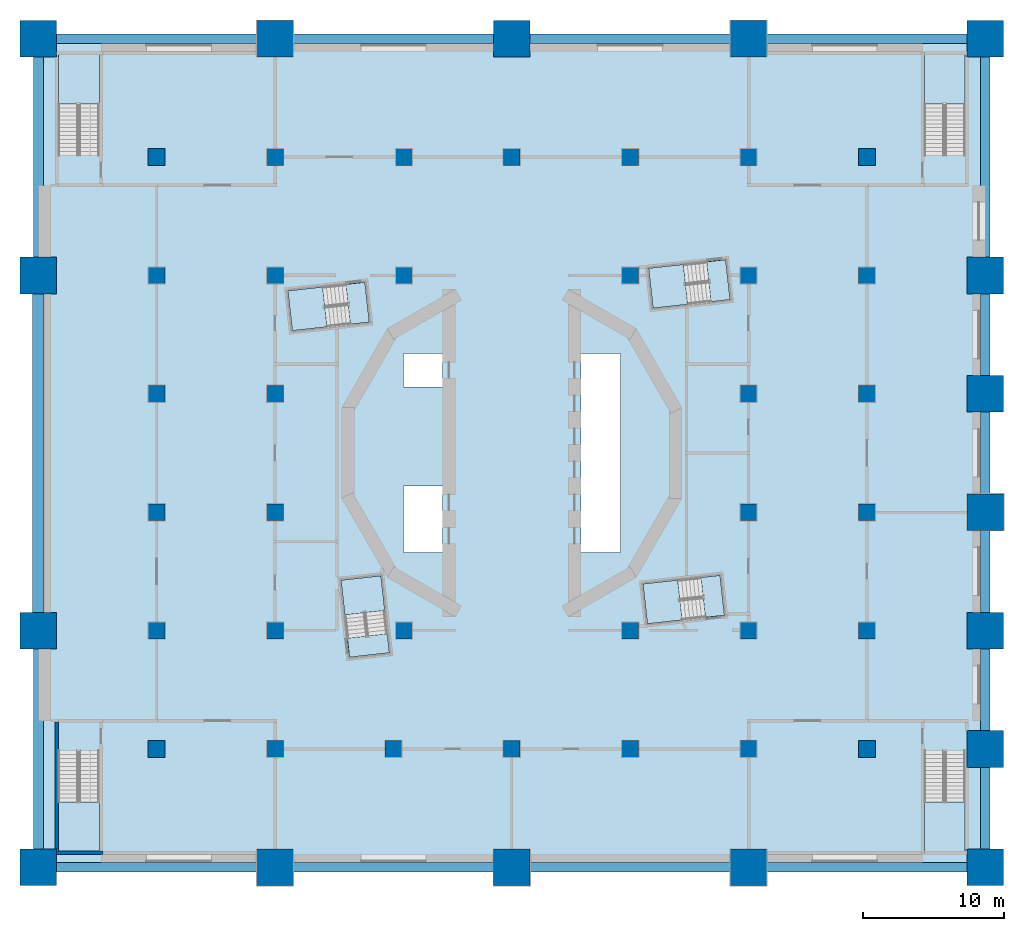
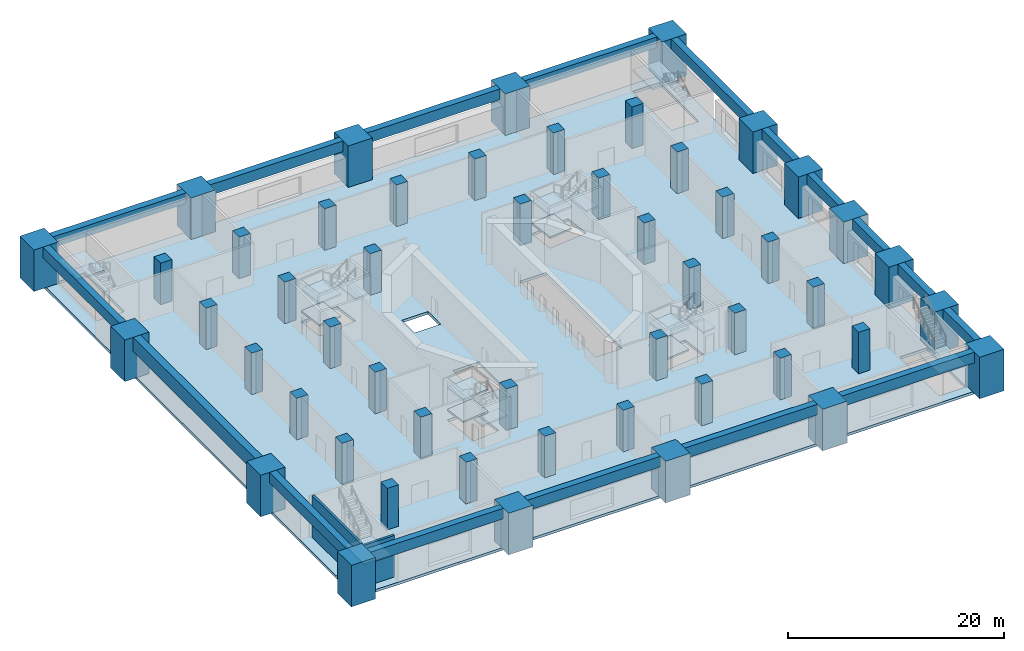
# One storey, part 1 of 17: 51 columns, 17 beams, 17 slabs, 2 walls, 8 elements without a shape of their own.
"""IFC4 building model written with IfcOpenShell, lengths in metres."""

from ifc_helpers import new_model, si_unit, direction, frame, frame_2d, origin, origin_2d, place, context, subcontext, project, spatial, polyline, rectangle, outline, extrude, material, layer, layer_set, material_profile, profile_set, type_object, element, aggregate, save


model = new_model("IFC4")

# Units and contexts
model_context = context("Model", 3, precision=1e-05, world=origin(), true_north=direction((0.0, 1.0)))
body_context = subcontext(model_context, "Body", "Model", "MODEL_VIEW")
ifc_project = project(units=[si_unit("LENGTHUNIT", "METRE"), si_unit("AREAUNIT", "SQUARE_METRE"), si_unit("VOLUMEUNIT", "CUBIC_METRE"), si_unit("PLANEANGLEUNIT", "RADIAN"), si_unit("MASSUNIT", "GRAM", prefix="KILO")], contexts=[model_context])

# Site, building, storey
site_placement = place(None, origin())
site = spatial("IfcSite", under=ifc_project, at=site_placement, CompositionType="ELEMENT")
building_placement = place(site_placement, origin())
building = spatial("IfcBuilding", under=site, at=building_placement, Name="Cantera Rosa Tower", CompositionType="ELEMENT")
storey_placement = place(building_placement, frame((0.0, 0.0, 27.0)))
storey = spatial("IfcBuildingStorey", under=building, at=storey_placement, Name="L04", CompositionType="ELEMENT", Elevation=27.0)

# Columns
ifc_material_1 = material(Name="Concrete C60/75", Category="concrete")
ifc_material_profile_1 = material_profile(ifc_material_1, rectangle(XDim=1.199951171875, YDim=1.199951171875, at=origin_2d()), Name="Column 1200x1200")
ifc_profile_set_1 = profile_set([ifc_material_profile_1], Name="Concrete C60/75")
column_type_1 = type_object("IfcColumnType", Name="Column 1200x1200", PredefinedType="COLUMN", material=ifc_profile_set_1)
for number, where, z_axis, x_axis, name in (
    (1, (-25.199951171875, -21.0, 0.0), (0.0, 0.0, 1.0), (1.0, 0.0, 0.0), "Column C-P-2B"),
    (2, (-25.199951171875, -12.60009765625, 0.0), (0.0, 0.0, 1.0), (1.0, 0.0, 0.0), "Column C-P-2C"),
    (3, (-25.199951171875, -4.199951171875, 0.0), (0.0, 0.0, 1.0), (1.0, 0.0, 0.0), "Column C-P-2D"),
    (4, (-25.199951171875, 4.199951171875, 0.0), (0.0, 0.0, 1.0), (1.0, 0.0, 0.0), "Column C-P-2E"),
    (5, (-25.199951171875, 12.60009765625, 0.0), (0.0, 0.0, 1.0), (1.0, 0.0, 0.0), "Column C-P-2F"),
    (6, (-25.199951171875, 21.0, 0.0), (0.0, 0.0, 1.0), (1.0, 0.0, 0.0), "Column C-P-2G"),
    (7, (-16.800048828125, -21.0, 0.0), (0.0, 0.0, 1.0), (1.0, 0.0, 0.0), "Column C-P-3B"),
    (8, (-16.800048828125, -12.60009765625, 0.0), (0.0, 0.0, 1.0), (1.0, 0.0, 0.0), "Column C-P-3C"),
    (9, (-16.800048828125, -4.199951171875, 0.0), (0.0, 0.0, 1.0), (1.0, 0.0, 0.0), "Column C-P-3D"),
    (10, (-16.800048828125, 4.199951171875, 0.0), (0.0, 0.0, 1.0), (1.0, 0.0, 0.0), "Column C-P-3E"),
    (11, (-16.800048828125, 12.60009765625, 0.0), (0.0, 0.0, 1.0), (1.0, 0.0, 0.0), "Column C-P-3F"),
    (12, (-16.800048828125, 21.0, 0.0), (0.0, 0.0, 1.0), (1.0, 0.0, 0.0), "Column C-P-3G"),
    (13, (-8.39990234375, -21.0, 0.0), (0.0, 0.0, 1.0), (1.0, 0.0, 0.0), "Column C-P-4B"),
    (14, (-7.64990234375, -12.60009765625, 0.0), (0.0, 0.0, 1.0), (1.0, 0.0, 0.0), "Column C-P-4C"),
    (15, (-7.64990234375, 12.60009765625, 0.0), (0.0, 0.0, 1.0), (1.0, 0.0, 0.0), "Column C-B-4N2"),
    (16, (-7.64990234375, 21.0, 0.0), (0.0, 0.0, 1.0), (1.0, 0.0, 0.0), "Column C-B-4N3"),
    (17, (0.0, -21.0, 0.0), (0.0, 0.0, 1.0), (1.0, 0.0, 0.0), "Column C-P-5B"),
    (18, (0.0, 21.0, 0.0), (0.0, 0.0, 1.0), (1.0, 0.0, 0.0), "Column C-P-5G"),
    (19, (8.39990234375, -21.0, 0.0), (0.0, 0.0, 1.0), (1.0, 0.0, 0.0), "Column C-P-6B"),
    (20, (8.39990234375, -12.60009765625, 0.0), (0.0, 0.0, 1.0), (1.0, 0.0, 0.0), "Column C-P-6C"),
    (21, (8.39990234375, 12.60009765625, 0.0), (0.0, 0.0, 1.0), (1.0, 0.0, 0.0), "Column C-P-6F"),
    (22, (8.39990234375, 21.0, 0.0), (0.0, 0.0, 1.0), (1.0, 0.0, 0.0), "Column C-P-6G"),
    (23, (16.800048828125, -21.0, 0.0), (0.0, 0.0, 1.0), (1.0, 0.0, 0.0), "Column C-P-7B"),
    (24, (16.800048828125, -12.60009765625, 0.0), (0.0, 0.0, 1.0), (1.0, 0.0, 0.0), "Column C-P-7C"),
    (25, (16.800048828125, -4.199951171875, 0.0), (0.0, 0.0, 1.0), (1.0, 0.0, 0.0), "Column C-P-7D"),
    (26, (16.800048828125, 4.199951171875, 0.0), (0.0, 0.0, 1.0), (1.0, 0.0, 0.0), "Column C-P-7E"),
    (27, (16.800048828125, 12.60009765625, 0.0), (0.0, 0.0, 1.0), (1.0, 0.0, 0.0), "Column C-P-7F"),
    (28, (16.800048828125, 21.0, 0.0), (0.0, 0.0, 1.0), (1.0, 0.0, 0.0), "Column C-P-7G"),
    (29, (25.199951171875, -21.0, 0.0), (0.0, 0.0, 1.0), (1.0, 0.0, 0.0), "Column C-P-8B"),
    (30, (25.199951171875, -12.60009765625, 0.0), (0.0, 0.0, 1.0), (1.0, 0.0, 0.0), "Column C-P-8C"),
    (31, (25.199951171875, -4.199951171875, 0.0), (0.0, 0.0, 1.0), (1.0, 0.0, 0.0), "Column C-P-8D"),
    (32, (25.199951171875, 4.199951171875, 0.0), (0.0, 0.0, 1.0), (1.0, 0.0, 0.0), "Column C-P-8E"),
    (33, (25.199951171875, 12.60009765625, 0.0), (0.0, 0.0, 1.0), (1.0, 0.0, 0.0), "Column C-P-8F"),
    (34, (25.199951171875, 21.0, 0.0), (0.0, 0.0, 1.0), (1.0, 0.0, 0.0), "Column C-P-8G"),
):
    element("IfcColumn", number, at=place(storey_placement, frame(where, z_axis=z_axis, x_axis=x_axis)), inside=storey, type_object=column_type_1, Name=name, PredefinedType="COLUMN", context=body_context, shape_type="SweptSolid", body=[
        extrude(rectangle(XDim=1.199951171875, YDim=1.199951171875, at=origin_2d()), origin(), (0.0, 0.0, 1.0), 4.699951171875),
    ])
ifc_material_2 = material(Name="Concrete C60/75", Category="concrete")
ifc_material_profile_2 = material_profile(ifc_material_2, rectangle(XDim=2.60009765625, YDim=2.60009765625, at=origin_2d()), Name="Stone pier 2600x2600")
ifc_profile_set_2 = profile_set([ifc_material_profile_2], Name="Concrete C60/75")
column_type_2 = type_object("IfcColumnType", Name="Stone pier 2600x2600", PredefinedType="COLUMN", material=ifc_profile_set_2)
for number, where, z_axis, x_axis, name in (
    (35, (-33.60009765625, -29.39990234375, 0.0), (0.0, 0.0, 1.0), (1.0, 0.0, 0.0), "Column C-P-1A"),
    (36, (-33.60009765625, -12.60009765625, 0.0), (0.0, 0.0, 1.0), (1.0, 0.0, 0.0), "Column C-P-1C"),
    (37, (-33.60009765625, 12.60009765625, 0.0), (0.0, 0.0, 1.0), (1.0, 0.0, 0.0), "Column C-P-1F"),
    (38, (-33.60009765625, 29.39990234375, 0.0), (0.0, 0.0, 1.0), (1.0, 0.0, 0.0), "Column C-P-1H"),
    (39, (-16.800048828125, -29.39990234375, 0.0), (0.0, 0.0, 1.0), (1.0, 0.0, 0.0), "Column C-P-3A"),
    (40, (-16.800048828125, 29.39990234375, 0.0), (0.0, 0.0, 1.0), (1.0, 0.0, 0.0), "Column C-P-3H"),
    (41, (0.0, -29.39990234375, 0.0), (0.0, 0.0, 1.0), (1.0, 0.0, 0.0), "Column C-P-5A"),
    (42, (0.0, 29.39990234375, 0.0), (0.0, 0.0, 1.0), (1.0, 0.0, 0.0), "Column C-P-5H"),
    (43, (16.800048828125, -29.39990234375, 0.0), (0.0, 0.0, 1.0), (1.0, 0.0, 0.0), "Column C-P-7A"),
    (44, (16.800048828125, 29.39990234375, 0.0), (0.0, 0.0, 1.0), (1.0, 0.0, 0.0), "Column C-P-7H"),
    (45, (33.60009765625, -29.39990234375, 0.0), (0.0, 0.0, 1.0), (1.0, 0.0, 0.0), "Column C-P-9A"),
    (46, (33.60009765625, -21.0, 0.0), (0.0, 0.0, 1.0), (1.0, 0.0, 0.0), "Column C-P-9B"),
    (47, (33.60009765625, -12.60009765625, 0.0), (0.0, 0.0, 1.0), (1.0, 0.0, 0.0), "Column C-P-9C"),
    (48, (33.60009765625, -4.199951171875, 0.0), (0.0, 0.0, 1.0), (1.0, 0.0, 0.0), "Column C-P-9D"),
    (49, (33.60009765625, 4.199951171875, 0.0), (0.0, 0.0, 1.0), (1.0, 0.0, 0.0), "Column C-P-9E"),
    (50, (33.60009765625, 12.60009765625, 0.0), (0.0, 0.0, 1.0), (1.0, 0.0, 0.0), "Column C-P-9F"),
    (51, (33.60009765625, 29.39990234375, 0.0), (0.0, 0.0, 1.0), (1.0, 0.0, 0.0), "Column C-P-9H"),
):
    element("IfcColumn", number, at=place(storey_placement, frame(where, z_axis=z_axis, x_axis=x_axis)), inside=storey, type_object=column_type_2, Name=name, PredefinedType="COLUMN", context=body_context, shape_type="SweptSolid", body=[
        extrude(rectangle(XDim=2.60009765625, YDim=2.60009765625, at=origin_2d()), origin(), (0.0, 0.0, 1.0), 4.699951171875),
    ])

# Beams
ifc_material_3 = material(Name="Concrete C50/60", Category="concrete")
ifc_material_profile_3 = material_profile(ifc_material_3, rectangle(XDim=0.699951171875, YDim=1.199951171875, at=origin_2d()), Name="Edge girder 700x1200")
ifc_profile_set_3 = profile_set([ifc_material_profile_3], Name="Concrete C50/60")
beam_type_1 = type_object("IfcBeamType", Name="Edge girder 700x1200", PredefinedType="BEAM", material=ifc_profile_set_3)
beam_1_placement = place(storey_placement, frame((-33.60009765625, -28.10009765625, 4.10009765625), z_axis=(0.0, 1.0, 0.0), x_axis=(-1.0, 0.0, 0.0)))
element("IfcBeam", 52, at=beam_1_placement, inside=storey, type_object=beam_type_1, Name="Edge girder L04-01", PredefinedType="BEAM", context=body_context, shape_type="SweptSolid", body=[
    extrude(rectangle(XDim=0.699951171875, YDim=1.199951171875, at=origin_2d()), origin(), (0.0, 0.0, 1.0), 14.2001953125),
])
beam_2_placement = place(storey_placement, frame((-32.300048828125, -29.39990234375, 4.10009765625), z_axis=(1.0, 0.0, 0.0), x_axis=(0.0, 1.0, 0.0)))
element("IfcBeam", 53, at=beam_2_placement, inside=storey, type_object=beam_type_1, Name="Edge girder L04-02", PredefinedType="BEAM", context=body_context, shape_type="SweptSolid", body=[
    extrude(rectangle(XDim=0.699951171875, YDim=1.199951171875, at=origin_2d()), origin(), (0.0, 0.0, 1.0), 14.199951171875),
])
beam_3_placement = place(storey_placement, frame((-33.60009765625, 13.89990234375, 4.10009765625), z_axis=(0.0, 1.0, 0.0), x_axis=(-1.0, 0.0, 0.0)))
element("IfcBeam", 54, at=beam_3_placement, inside=storey, type_object=beam_type_1, Name="Edge girder L04-04", PredefinedType="BEAM", context=body_context, shape_type="SweptSolid", body=[
    extrude(rectangle(XDim=0.699951171875, YDim=1.199951171875, at=origin_2d()), origin(), (0.0, 0.0, 1.0), 14.2001953125),
])
for number, where, z_axis, x_axis, name in (
    (55, (-32.300048828125, 29.39990234375, 4.10009765625), (1.0, 0.0, 0.0), (0.0, 1.0, 0.0), "Edge girder L04-05"),
    (56, (-15.5, -29.39990234375, 4.10009765625), (1.0, 0.0, 0.0), (0.0, 1.0, 0.0), "Edge girder L04-06"),
    (57, (-15.5, 29.39990234375, 4.10009765625), (1.0, 0.0, 0.0), (0.0, 1.0, 0.0), "Edge girder L04-07"),
    (58, (1.300048828125, -29.39990234375, 4.10009765625), (1.0, 0.0, 0.0), (0.0, 1.0, 0.0), "Edge girder L04-08"),
    (59, (1.300048828125, 29.39990234375, 4.10009765625), (1.0, 0.0, 0.0), (0.0, 1.0, 0.0), "Edge girder L04-09"),
    (60, (18.10009765625, -29.39990234375, 4.10009765625), (1.0, 0.0, 0.0), (0.0, 1.0, 0.0), "Edge girder L04-10"),
    (61, (18.10009765625, 29.39990234375, 4.10009765625), (1.0, 0.0, 0.0), (0.0, 1.0, 0.0), "Edge girder L04-11"),
):
    element("IfcBeam", number, at=place(storey_placement, frame(where, z_axis=z_axis, x_axis=x_axis)), inside=storey, type_object=beam_type_1, Name=name, PredefinedType="BEAM", context=body_context, shape_type="SweptSolid", body=[
        extrude(rectangle(XDim=0.699951171875, YDim=1.199951171875, at=origin_2d()), origin(), (0.0, 0.0, 1.0), 14.199951171875),
    ])
for number, where, z_axis, x_axis, name in (
    (62, (33.60009765625, -28.10009765625, 4.10009765625), (0.0, 1.0, 0.0), (-1.0, 0.0, 0.0), "Edge girder L04-12"),
    (63, (33.60009765625, -19.699951171875, 4.10009765625), (0.0, 1.0, 0.0), (-1.0, 0.0, 0.0), "Edge girder L04-13"),
    (64, (33.60009765625, -11.300048828125, 4.10009765625), (0.0, 1.0, 0.0), (-1.0, 0.0, 0.0), "Edge girder L04-14"),
):
    element("IfcBeam", number, at=place(storey_placement, frame(where, z_axis=z_axis, x_axis=x_axis)), inside=storey, type_object=beam_type_1, Name=name, PredefinedType="BEAM", context=body_context, shape_type="SweptSolid", body=[
        extrude(rectangle(XDim=0.699951171875, YDim=1.199951171875, at=origin_2d()), origin(), (0.0, 0.0, 1.0), 5.800048828125),
    ])
beam_4_placement = place(storey_placement, frame((33.60009765625, -2.89990234375, 4.10009765625), z_axis=(0.0, 1.0, 0.0), x_axis=(-1.0, 0.0, 0.0)))
element("IfcBeam", 65, at=beam_4_placement, inside=storey, type_object=beam_type_1, Name="Edge girder L04-15", PredefinedType="BEAM", context=body_context, shape_type="SweptSolid", body=[
    extrude(rectangle(XDim=0.699951171875, YDim=1.199951171875, at=origin_2d()), origin(), (0.0, 0.0, 1.0), 5.7998046875),
])
beam_5_placement = place(storey_placement, frame((33.60009765625, 5.5, 4.10009765625), z_axis=(0.0, 1.0, 0.0), x_axis=(-1.0, 0.0, 0.0)))
element("IfcBeam", 66, at=beam_5_placement, inside=storey, type_object=beam_type_1, Name="Edge girder L04-16", PredefinedType="BEAM", context=body_context, shape_type="SweptSolid", body=[
    extrude(rectangle(XDim=0.699951171875, YDim=1.199951171875, at=origin_2d()), origin(), (0.0, 0.0, 1.0), 5.800048828125),
])
beam_6_placement = place(storey_placement, frame((33.60009765625, 13.89990234375, 4.10009765625), z_axis=(0.0, 1.0, 0.0), x_axis=(-1.0, 0.0, 0.0)))
element("IfcBeam", 67, at=beam_6_placement, inside=storey, type_object=beam_type_1, Name="Edge girder L04-17", PredefinedType="BEAM", context=body_context, shape_type="SweptSolid", body=[
    extrude(rectangle(XDim=0.699951171875, YDim=1.199951171875, at=origin_2d()), origin(), (0.0, 0.0, 1.0), 14.2001953125),
])
ifc_material_4 = material(Name="Concrete C50/60", Category="concrete")
ifc_material_profile_4 = material_profile(ifc_material_4, rectangle(XDim=0.800048828125, YDim=1.60009765625, at=origin_2d()), Name="Edge girder 800x1600")
ifc_profile_set_4 = profile_set([ifc_material_profile_4], Name="Concrete C50/60")
beam_type_2 = type_object("IfcBeamType", Name="Edge girder 800x1600", PredefinedType="BEAM", material=ifc_profile_set_4)
beam_7_placement = place(storey_placement, frame((-33.60009765625, -11.300048828125, 3.89990234375), z_axis=(0.0, 1.0, 0.0), x_axis=(-1.0, 0.0, 0.0)))
element("IfcBeam", 68, at=beam_7_placement, inside=storey, type_object=beam_type_2, Name="Edge girder L04-03", PredefinedType="BEAM", context=body_context, shape_type="SweptSolid", body=[
    extrude(rectangle(XDim=0.800048828125, YDim=1.60009765625, at=origin_2d()), origin(), (0.0, 0.0, 1.0), 22.60009765625),
])

# Slab
ifc_material_5 = material(Name="Concrete C35/45", Category="concrete")
ifc_layer_1 = layer(ifc_material_5, 0.300048828125)
ifc_layer_set_1 = layer_set([ifc_layer_1], Name="Flat slab 300")
slab_type_1 = type_object("IfcSlabType", Name="Flat slab 300", PredefinedType="FLOOR", material=ifc_layer_set_1)
slab_1_placement = place(storey_placement, frame((0.0, 0.0, -0.300048828125)))
element("IfcSlab", 69, at=slab_1_placement, inside=storey, type_object=slab_type_1, Name="Floor slab L04", PredefinedType="FLOOR", context=body_context, shape_type="SweptSolid", body=[
    extrude(outline(polyline([(-33.60009765625, -29.39990234375), (33.60009765625, -29.39990234375), (33.60009765625, 29.39990234375), (-33.60009765625, 29.39990234375), (-33.60009765625, -29.39990234375)]), holes=[polyline([(29.27490234375, -28.375), (32.175048828125, -28.375), (32.175048828125, -21.136962890625), (29.27490234375, -21.136962890625), (29.27490234375, -28.375)]), polyline([(32.175048828125, 21.136962890625), (32.175048828125, 28.375), (29.27490234375, 28.375), (29.27490234375, 21.136962890625), (32.175048828125, 21.136962890625)]), polyline([(13.822265625, 13.5693359375), (9.709716796875, 13.11279296875), (10.02392578125, 10.2802734375), (14.13671875, 10.73681640625), (13.822265625, 13.5693359375)]), polyline([(9.3095703125, -9.287109375), (9.6240234375, -12.11962890625), (13.73681640625, -11.6630859375), (13.42236328125, -8.83056640625), (9.3095703125, -9.287109375)]), polyline([(4.89990234375, -7.050048828125), (7.699951171875, -7.050048828125), (7.699951171875, 7.050048828125), (4.89990234375, 7.050048828125), (4.89990234375, -7.050048828125)]), polyline([(-7.699951171875, -7.050048828125), (-4.89990234375, -7.050048828125), (-4.89990234375, -2.35009765625), (-7.699951171875, -2.35009765625), (-7.699951171875, -7.050048828125)]), polyline([(-4.89990234375, 7.050048828125), (-7.699951171875, 7.050048828125), (-7.699951171875, 4.699951171875), (-4.89990234375, 4.699951171875), (-4.89990234375, 7.050048828125)]), polyline([(-9.287109375, -8.709716796875), (-12.11962890625, -9.02392578125), (-11.6630859375, -13.13671875), (-8.83056640625, -12.822265625), (-9.287109375, -8.709716796875)]), polyline([(-15.890380859375, 11.512939453125), (-15.575927734375, 8.680419921875), (-11.46337890625, 9.13671875), (-11.777587890625, 11.969482421875), (-15.890380859375, 11.512939453125)]), polyline([(-32.175048828125, -28.375), (-29.27490234375, -28.375), (-29.27490234375, -21.136962890625), (-32.175048828125, -21.136962890625), (-32.175048828125, -28.375)]), polyline([(-29.27490234375, 28.375), (-32.175048828125, 28.375), (-32.175048828125, 21.136962890625), (-29.27490234375, 21.136962890625), (-29.27490234375, 28.375)])]), origin(), (0.0, 0.0, 1.0), 0.300048828125),
])

# Stair, slabs
ifc_material_6 = material(Name="Concrete C35/45", Category="concrete")
stair_type_1 = type_object("IfcStairType", Name="EXIT STAIR 1350 DOGLEG", PredefinedType="HALF_TURN_STAIR", material=ifc_material_6)
stair_1_placement = place(storey_placement, origin())
stair_1 = element("IfcStair", 70, at=stair_1_placement, inside=storey, type_object=stair_type_1, Name="L04 ST-11", PredefinedType="HALF_TURN_STAIR")
ifc_material_7 = material(Name="Concrete C35/45", Category="concrete")
ifc_layer_2 = layer(ifc_material_7, 0.199951171875)
ifc_layer_set_2 = layer_set([ifc_layer_2], Name="STAIR LANDING 200")
slab_type_2 = type_object("IfcSlabType", Name="STAIR LANDING 200", PredefinedType="LANDING", material=ifc_layer_set_2)
slab_2_placement = place(storey_placement, frame((0.0, 0.0, 1.050048828125)))
slab_2 = element("IfcSlab", 71, at=slab_2_placement, type_object=slab_type_2, Name="ST-11 landing 1", PredefinedType="LANDING", context=body_context, shape_type="SweptSolid", body=[
    extrude(outline(polyline([(12.176513671875, 13.38671875), (9.70947265625, 13.113037109375), (10.02392578125, 10.2802734375), (12.49072265625, 10.55419921875), (12.176513671875, 13.38671875)])), origin(), (0.0, 0.0, 1.0), 0.199951171875),
])
slab_3_placement = place(storey_placement, frame((0.0, 0.0, 2.300048828125)))
slab_3 = element("IfcSlab", 72, at=slab_3_placement, type_object=slab_type_2, Name="ST-11 landing 2", PredefinedType="LANDING", context=body_context, shape_type="SweptSolid", body=[
    extrude(outline(polyline([(15.176025390625, 13.7197265625), (13.822265625, 13.5693359375), (14.13671875, 10.73681640625), (15.490478515625, 10.886962890625), (15.176025390625, 13.7197265625)])), origin(), (0.0, 0.0, 1.0), 0.199951171875),
])
slab_4_placement = place(storey_placement, frame((0.0, 0.0, 3.550048828125)))
slab_4 = element("IfcSlab", 73, at=slab_4_placement, type_object=slab_type_2, Name="ST-11 landing 3", PredefinedType="LANDING", context=body_context, shape_type="SweptSolid", body=[
    extrude(outline(polyline([(12.176513671875, 13.38671875), (9.70947265625, 13.113037109375), (10.02392578125, 10.2802734375), (12.49072265625, 10.55419921875), (12.176513671875, 13.38671875)])), origin(), (0.0, 0.0, 1.0), 0.199951171875),
])
aggregate(stair_1, [slab_2, slab_3, slab_4])

stair_2_placement = place(storey_placement, origin())
stair_2 = element("IfcStair", 74, at=stair_2_placement, inside=storey, type_object=stair_type_1, Name="L04 ST-12", PredefinedType="HALF_TURN_STAIR")
slab_5_placement = place(storey_placement, frame((0.0, 0.0, 1.050048828125)))
slab_5 = element("IfcSlab", 75, at=slab_5_placement, type_object=slab_type_2, Name="ST-12 landing 1", PredefinedType="LANDING", context=body_context, shape_type="SweptSolid", body=[
    extrude(outline(polyline([(-13.423583984375, 11.78662109375), (-15.890380859375, 11.512939453125), (-15.575927734375, 8.680419921875), (-13.109130859375, 8.9541015625), (-13.423583984375, 11.78662109375)])), origin(), (0.0, 0.0, 1.0), 0.199951171875),
])
slab_6_placement = place(storey_placement, frame((0.0, 0.0, 2.300048828125)))
slab_6 = element("IfcSlab", 76, at=slab_6_placement, type_object=slab_type_2, Name="ST-12 landing 2", PredefinedType="LANDING", context=body_context, shape_type="SweptSolid", body=[
    extrude(outline(polyline([(-10.424072265625, 12.11962890625), (-11.777587890625, 11.969482421875), (-11.46337890625, 9.13671875), (-10.109619140625, 9.287109375), (-10.424072265625, 12.11962890625)])), origin(), (0.0, 0.0, 1.0), 0.199951171875),
])
slab_7_placement = place(storey_placement, frame((0.0, 0.0, 3.550048828125)))
slab_7 = element("IfcSlab", 77, at=slab_7_placement, type_object=slab_type_2, Name="ST-12 landing 3", PredefinedType="LANDING", context=body_context, shape_type="SweptSolid", body=[
    extrude(outline(polyline([(-13.423583984375, 11.78662109375), (-15.890380859375, 11.512939453125), (-15.575927734375, 8.680419921875), (-13.109130859375, 8.9541015625), (-13.423583984375, 11.78662109375)])), origin(), (0.0, 0.0, 1.0), 0.199951171875),
])
aggregate(stair_2, [slab_5, slab_6, slab_7])

stair_3_placement = place(storey_placement, origin())
stair_3 = element("IfcStair", 78, at=stair_3_placement, inside=storey, type_object=stair_type_1, Name="L04 ST-13", PredefinedType="HALF_TURN_STAIR")
slab_8_placement = place(storey_placement, frame((0.0, 0.0, 1.050048828125)))
slab_8 = element("IfcSlab", 79, at=slab_8_placement, type_object=slab_type_2, Name="ST-13 landing 1", PredefinedType="LANDING", context=body_context, shape_type="SweptSolid", body=[
    extrude(outline(polyline([(-9.01318359375, -11.176513671875), (-9.287109375, -8.70947265625), (-12.11962890625, -9.02392578125), (-11.845947265625, -11.49072265625), (-9.01318359375, -11.176513671875)])), origin(), (0.0, 0.0, 1.0), 0.199951171875),
])
slab_9_placement = place(storey_placement, frame((0.0, 0.0, 2.300048828125)))
slab_9 = element("IfcSlab", 80, at=slab_9_placement, type_object=slab_type_2, Name="ST-13 landing 2", PredefinedType="LANDING", context=body_context, shape_type="SweptSolid", body=[
    extrude(outline(polyline([(-8.680419921875, -14.176025390625), (-8.83056640625, -12.822265625), (-11.6630859375, -13.13671875), (-11.512939453125, -14.490478515625), (-8.680419921875, -14.176025390625)])), origin(), (0.0, 0.0, 1.0), 0.199951171875),
])
slab_10_placement = place(storey_placement, frame((0.0, 0.0, 3.550048828125)))
slab_10 = element("IfcSlab", 81, at=slab_10_placement, type_object=slab_type_2, Name="ST-13 landing 3", PredefinedType="LANDING", context=body_context, shape_type="SweptSolid", body=[
    extrude(outline(polyline([(-9.01318359375, -11.176513671875), (-9.287109375, -8.70947265625), (-12.11962890625, -9.02392578125), (-11.845947265625, -11.49072265625), (-9.01318359375, -11.176513671875)])), origin(), (0.0, 0.0, 1.0), 0.199951171875),
])
aggregate(stair_3, [slab_8, slab_9, slab_10])

stair_4_placement = place(storey_placement, origin())
stair_4 = element("IfcStair", 82, at=stair_4_placement, inside=storey, type_object=stair_type_1, Name="L04 ST-14", PredefinedType="HALF_TURN_STAIR")
slab_11_placement = place(storey_placement, frame((0.0, 0.0, 1.050048828125)))
slab_11 = element("IfcSlab", 83, at=slab_11_placement, type_object=slab_type_2, Name="ST-14 landing 1", PredefinedType="LANDING", context=body_context, shape_type="SweptSolid", body=[
    extrude(outline(polyline([(11.7763671875, -9.01318359375), (9.3095703125, -9.287109375), (9.6240234375, -12.11962890625), (12.0908203125, -11.845947265625), (11.7763671875, -9.01318359375)])), origin(), (0.0, 0.0, 1.0), 0.199951171875),
])
slab_12_placement = place(storey_placement, frame((0.0, 0.0, 2.300048828125)))
slab_12 = element("IfcSlab", 84, at=slab_12_placement, type_object=slab_type_2, Name="ST-14 landing 2", PredefinedType="LANDING", context=body_context, shape_type="SweptSolid", body=[
    extrude(outline(polyline([(14.776123046875, -8.680419921875), (13.42236328125, -8.83056640625), (13.73681640625, -11.6630859375), (15.09033203125, -11.512939453125), (14.776123046875, -8.680419921875)])), origin(), (0.0, 0.0, 1.0), 0.199951171875),
])
slab_13_placement = place(storey_placement, frame((0.0, 0.0, 3.550048828125)))
slab_13 = element("IfcSlab", 85, at=slab_13_placement, type_object=slab_type_2, Name="ST-14 landing 3", PredefinedType="LANDING", context=body_context, shape_type="SweptSolid", body=[
    extrude(outline(polyline([(11.7763671875, -9.01318359375), (9.3095703125, -9.287109375), (9.6240234375, -12.11962890625), (12.0908203125, -11.845947265625), (11.7763671875, -9.01318359375)])), origin(), (0.0, 0.0, 1.0), 0.199951171875),
])
aggregate(stair_4, [slab_11, slab_12, slab_13])

# Stair, slab
ifc_material_8 = material(Name="Concrete C35/45", Category="concrete")
stair_type_2 = type_object("IfcStairType", Name="Stair half-turn 1350", PredefinedType="HALF_TURN_STAIR", material=ifc_material_8)
stair_5_placement = place(storey_placement, origin())
stair_5 = element("IfcStair", 86, at=stair_5_placement, inside=storey, type_object=stair_type_2, Name="L04 ST-NE", PredefinedType="HALF_TURN_STAIR")
ifc_material_9 = material(Name="Concrete C35/45", Category="concrete")
ifc_layer_3 = layer(ifc_material_9, 0.199951171875)
ifc_layer_set_3 = layer_set([ifc_layer_3], Name="Stair landing 200")
slab_type_3 = type_object("IfcSlabType", Name="Stair landing 200", PredefinedType="LANDING", material=ifc_layer_set_3)
slab_14_placement = place(storey_placement, frame((0.0, 0.0, 2.300048828125)))
slab_14 = element("IfcSlab", 87, at=slab_14_placement, type_object=slab_type_3, Name="ST-NE landing 1", PredefinedType="LANDING", context=body_context, shape_type="SweptSolid", body=[
    extrude(outline(polyline([(32.175048828125, 24.7529296875), (32.175048828125, 28.375), (29.27490234375, 28.375), (29.27490234375, 24.7529296875), (32.175048828125, 24.7529296875)])), origin(), (0.0, 0.0, 1.0), 0.199951171875),
])
aggregate(stair_5, [slab_14])

stair_6_placement = place(storey_placement, origin())
stair_6 = element("IfcStair", 88, at=stair_6_placement, inside=storey, type_object=stair_type_2, Name="L04 ST-NW", PredefinedType="HALF_TURN_STAIR")
slab_15_placement = place(storey_placement, frame((0.0, 0.0, 2.300048828125)))
slab_15 = element("IfcSlab", 89, at=slab_15_placement, type_object=slab_type_3, Name="ST-NW landing 1", PredefinedType="LANDING", context=body_context, shape_type="SweptSolid", body=[
    extrude(outline(polyline([(-29.27490234375, 24.7529296875), (-29.27490234375, 28.375), (-32.175048828125, 28.375), (-32.175048828125, 24.7529296875), (-29.27490234375, 24.7529296875)])), origin(), (0.0, 0.0, 1.0), 0.199951171875),
])
aggregate(stair_6, [slab_15])

stair_7_placement = place(storey_placement, origin())
stair_7 = element("IfcStair", 90, at=stair_7_placement, inside=storey, type_object=stair_type_2, Name="L04 ST-SE", PredefinedType="HALF_TURN_STAIR")
slab_16_placement = place(storey_placement, frame((0.0, 0.0, 2.300048828125)))
slab_16 = element("IfcSlab", 91, at=slab_16_placement, type_object=slab_type_3, Name="ST-SE landing 1", PredefinedType="LANDING", context=body_context, shape_type="SweptSolid", body=[
    extrude(outline(polyline([(29.27490234375, -24.7529296875), (29.27490234375, -28.375), (32.175048828125, -28.375), (32.175048828125, -24.7529296875), (29.27490234375, -24.7529296875)])), origin(), (0.0, 0.0, 1.0), 0.199951171875),
])
aggregate(stair_7, [slab_16])

stair_8_placement = place(storey_placement, origin())
stair_8 = element("IfcStair", 92, at=stair_8_placement, inside=storey, type_object=stair_type_2, Name="L04 ST-SW", PredefinedType="HALF_TURN_STAIR")
slab_17_placement = place(storey_placement, frame((0.0, 0.0, 2.300048828125)))
slab_17 = element("IfcSlab", 93, at=slab_17_placement, type_object=slab_type_3, Name="ST-SW landing 1", PredefinedType="LANDING", context=body_context, shape_type="SweptSolid", body=[
    extrude(outline(polyline([(-32.175048828125, -24.7529296875), (-32.175048828125, -28.375), (-29.27490234375, -28.375), (-29.27490234375, -24.7529296875), (-32.175048828125, -24.7529296875)])), origin(), (0.0, 0.0, 1.0), 0.199951171875),
])
aggregate(stair_8, [slab_17])

# Walls
ifc_material_10 = material(Name="Concrete C50/60", Category="concrete")
ifc_layer_4 = layer(ifc_material_10, 0.25)
ifc_layer_set_4 = layer_set([ifc_layer_4], Name="External stair wall 250")
wall_type_1 = type_object("IfcWallType", Name="External stair wall 250", PredefinedType="SOLIDWALL", material=ifc_layer_set_4)
wall_1_placement = place(storey_placement, frame((-29.02490234375, -28.375, 0.0), z_axis=(0.0, 0.0, 1.0), x_axis=(-1.0, 0.0, 0.0)))
element("IfcWall", 94, at=wall_1_placement, inside=storey, type_object=wall_type_1, Name="Stair wall L04-72", PredefinedType="SOLIDWALL", context=body_context, shape_type="SweptSolid", body=[
    extrude(rectangle(XDim=3.275146484375, YDim=0.25, at=frame_2d((1.6376953125, 0.0))), origin(), (0.0, 0.0, 1.0), 4.699951171875),
])
ifc_material_11 = material(Name="Concrete C50/60", Category="concrete")
ifc_layer_5 = layer(ifc_material_11, 0.25)
ifc_layer_set_5 = layer_set([ifc_layer_5], Name="RC stair wall 250 C50/60")
wall_type_2 = type_object("IfcWallType", Name="RC stair wall 250", PredefinedType="SOLIDWALL", material=ifc_layer_set_5)
wall_2_placement = place(storey_placement, frame((-32.300048828125, -28.10009765625, 0.0), z_axis=(0.0, 0.0, 1.0), x_axis=(0.0, 1.0, 0.0)))
element("IfcWall", 95, at=wall_2_placement, inside=storey, type_object=wall_type_2, Name="Stair wall L04-63", PredefinedType="SOLIDWALL", context=body_context, shape_type="SweptSolid", body=[
    extrude(rectangle(XDim=9.0, YDim=0.25, at=frame_2d((4.5, 0.0))), origin(), (0.0, 0.0, 1.0), 4.699951171875),
])

save(model, "model.ifc")
